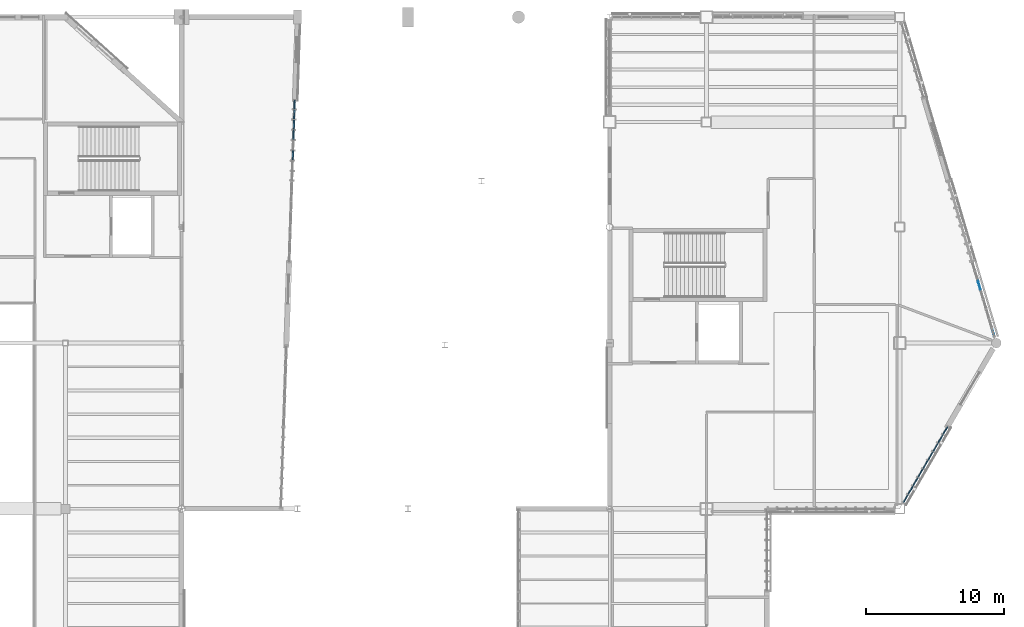
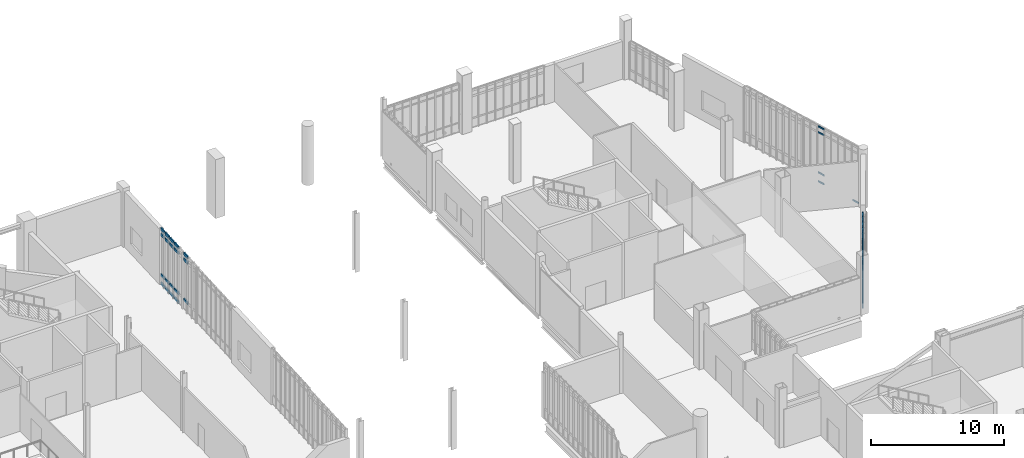
# One storey, part 63 of 127: 60 members, 3 elements without a shape of their own.
"""IFC4 building model written with IfcOpenShell, lengths in metres."""

from ifc_helpers import new_model, si_unit, direction, frame, origin, origin_2d, place, context, subcontext, project, spatial, rectangle, extrude, material, material_profile, profile_set, type_object, element, aggregate, save


model = new_model("IFC4")

# Units and contexts
model_context = context("Model", 3, precision=1e-05, world=origin(), true_north=direction((0.0, 1.0)))
body_context = subcontext(model_context, "Body", "Model", "MODEL_VIEW")
ifc_project = project(units=[si_unit("LENGTHUNIT", "METRE"), si_unit("AREAUNIT", "SQUARE_METRE"), si_unit("VOLUMEUNIT", "CUBIC_METRE"), si_unit("PLANEANGLEUNIT", "RADIAN"), si_unit("MASSUNIT", "GRAM", prefix="KILO")], contexts=[model_context])

# Site, building, storey
site_placement = place(None, origin())
site = spatial("IfcSite", under=ifc_project, at=site_placement, CompositionType="ELEMENT")
building_placement = place(site_placement, origin())
building = spatial("IfcBuilding", under=site, at=building_placement, Name="Larkvane Passage Sports Hall", CompositionType="ELEMENT")
storey_placement = place(building_placement, frame((0.0, 0.0, 5.39990234375)))
storey = spatial("IfcBuildingStorey", under=building, at=storey_placement, Name="L01", CompositionType="ELEMENT", Elevation=5.39990234375)

# Curtain wall, members
ifc_material_1 = material(Name="Thermally broken aluminium and low-E glazing", Category="aluminium")
curtain_wall_type_1 = type_object("IfcCurtainWallType", Name="CW-CLINIC", PredefinedType="USERDEFINED", material=ifc_material_1)
curtain_wall_1_placement = place(storey_placement, origin())
curtain_wall_1 = element("IfcCurtainWall", 1, at=curtain_wall_1_placement, inside=storey, type_object=curtain_wall_type_1, Name="Curtain wall CW5-L01-043", ObjectType="UNITISED CURTAIN WALL", PredefinedType="USERDEFINED")
ifc_material_2 = material(Name="Anodised aluminium 6063-T6", Category="aluminium")
ifc_material_profile_1 = material_profile(ifc_material_2, rectangle(XDim=0.10009765625, YDim=0.260009765625, at=origin_2d()), Name="ALU-TRN-100x260")
ifc_profile_set_1 = profile_set([ifc_material_profile_1], Name="Anodised aluminium 6063-T6")
member_type_1 = type_object("IfcMemberType", Name="CW-TRN-100x260", PredefinedType="USERDEFINED", material=ifc_profile_set_1)
member_1_placement = place(storey_placement, frame((101.796630859375, 93.166748046875, 0.050048828125), z_axis=(-0.03380904352, -0.999428310874, 0.0), x_axis=(0.999428310874, -0.03380904352, 0.0)))
member_1 = element("IfcMember", 2, at=member_1_placement, type_object=member_type_1, Name="CW-05 transom 1.1", ObjectType="TRANSOM", PredefinedType="USERDEFINED", context=body_context, shape_type="SweptSolid", body=[
    extrude(rectangle(XDim=0.10009765625, YDim=0.260009765625, at=origin_2d()), origin(), (0.0, 0.0, 1.0), 0.592041015625),
])
member_2_placement = place(storey_placement, frame((101.796630859375, 93.166748046875, 0.85009765625), z_axis=(-0.03380904352, -0.999428310874, 0.0), x_axis=(0.999428310874, -0.03380904352, 0.0)))
member_2 = element("IfcMember", 3, at=member_2_placement, type_object=member_type_1, Name="CW-05 transom 1.2", ObjectType="TRANSOM", PredefinedType="USERDEFINED", context=body_context, shape_type="SweptSolid", body=[
    extrude(rectangle(XDim=0.10009765625, YDim=0.260009765625, at=origin_2d()), origin(), (0.0, 0.0, 1.0), 0.592041015625),
])
member_3_placement = place(storey_placement, frame((101.796630859375, 93.166748046875, 4.550048828125), z_axis=(-0.03380904352, -0.999428310874, 0.0), x_axis=(0.999428310874, -0.03380904352, 0.0)))
member_3 = element("IfcMember", 4, at=member_3_placement, type_object=member_type_1, Name="CW-05 transom 1.3", ObjectType="TRANSOM", PredefinedType="USERDEFINED", context=body_context, shape_type="SweptSolid", body=[
    extrude(rectangle(XDim=0.10009765625, YDim=0.260009765625, at=origin_2d()), origin(), (0.0, 0.0, 1.0), 0.592041015625),
])
member_4_placement = place(storey_placement, frame((101.796630859375, 93.166748046875, 5.050048828125), z_axis=(-0.03380904352, -0.999428310874, 0.0), x_axis=(0.999428310874, -0.03380904352, 0.0)))
member_4 = element("IfcMember", 5, at=member_4_placement, type_object=member_type_1, Name="CW-05 transom 1.4", ObjectType="TRANSOM", PredefinedType="USERDEFINED", context=body_context, shape_type="SweptSolid", body=[
    extrude(rectangle(XDim=0.10009765625, YDim=0.260009765625, at=origin_2d()), origin(), (0.0, 0.0, 1.0), 0.592041015625),
])
member_5_placement = place(storey_placement, frame((101.7734375, 92.47509765625, 0.050048828125), z_axis=(-0.033833794265, -0.999427473289, 0.0), x_axis=(0.999427473289, -0.033833794265, 0.0)))
member_5 = element("IfcMember", 6, at=member_5_placement, type_object=member_type_1, Name="CW-05 transom 2.1", ObjectType="TRANSOM", PredefinedType="USERDEFINED", context=body_context, shape_type="SweptSolid", body=[
    extrude(rectangle(XDim=0.10009765625, YDim=0.260009765625, at=origin_2d()), origin(), (0.0, 0.0, 1.0), 0.642333984375),
])
member_6_placement = place(storey_placement, frame((101.7734375, 92.47509765625, 0.85009765625), z_axis=(-0.033833794265, -0.999427473289, 0.0), x_axis=(0.999427473289, -0.033833794265, 0.0)))
member_6 = element("IfcMember", 7, at=member_6_placement, type_object=member_type_1, Name="CW-05 transom 2.2", ObjectType="TRANSOM", PredefinedType="USERDEFINED", context=body_context, shape_type="SweptSolid", body=[
    extrude(rectangle(XDim=0.10009765625, YDim=0.260009765625, at=origin_2d()), origin(), (0.0, 0.0, 1.0), 0.642333984375),
])
member_7_placement = place(storey_placement, frame((101.7734375, 92.47509765625, 4.550048828125), z_axis=(-0.033833794265, -0.999427473289, 0.0), x_axis=(0.999427473289, -0.033833794265, 0.0)))
member_7 = element("IfcMember", 8, at=member_7_placement, type_object=member_type_1, Name="CW-05 transom 2.3", ObjectType="TRANSOM", PredefinedType="USERDEFINED", context=body_context, shape_type="SweptSolid", body=[
    extrude(rectangle(XDim=0.10009765625, YDim=0.260009765625, at=origin_2d()), origin(), (0.0, 0.0, 1.0), 0.642333984375),
])
member_8_placement = place(storey_placement, frame((101.7734375, 92.47509765625, 5.050048828125), z_axis=(-0.033833794265, -0.999427473289, 0.0), x_axis=(0.999427473289, -0.033833794265, 0.0)))
member_8 = element("IfcMember", 9, at=member_8_placement, type_object=member_type_1, Name="CW-05 transom 2.4", ObjectType="TRANSOM", PredefinedType="USERDEFINED", context=body_context, shape_type="SweptSolid", body=[
    extrude(rectangle(XDim=0.10009765625, YDim=0.260009765625, at=origin_2d()), origin(), (0.0, 0.0, 1.0), 0.642333984375),
])
member_9_placement = place(storey_placement, frame((101.748291015625, 91.7333984375, 0.050048828125), z_axis=(-0.033833794265, -0.999427473289, 0.0), x_axis=(0.999427473289, -0.033833794265, 0.0)))
member_9 = element("IfcMember", 10, at=member_9_placement, type_object=member_type_1, Name="CW-05 transom 3.1", ObjectType="TRANSOM", PredefinedType="USERDEFINED", context=body_context, shape_type="SweptSolid", body=[
    extrude(rectangle(XDim=0.10009765625, YDim=0.260009765625, at=origin_2d()), origin(), (0.0, 0.0, 1.0), 0.642333984375),
])
member_10_placement = place(storey_placement, frame((101.748291015625, 91.7333984375, 0.85009765625), z_axis=(-0.033833794265, -0.999427473289, 0.0), x_axis=(0.999427473289, -0.033833794265, 0.0)))
member_10 = element("IfcMember", 11, at=member_10_placement, type_object=member_type_1, Name="CW-05 transom 3.2", ObjectType="TRANSOM", PredefinedType="USERDEFINED", context=body_context, shape_type="SweptSolid", body=[
    extrude(rectangle(XDim=0.10009765625, YDim=0.260009765625, at=origin_2d()), origin(), (0.0, 0.0, 1.0), 0.642333984375),
])
member_11_placement = place(storey_placement, frame((101.748291015625, 91.7333984375, 4.550048828125), z_axis=(-0.033833794265, -0.999427473289, 0.0), x_axis=(0.999427473289, -0.033833794265, 0.0)))
member_11 = element("IfcMember", 12, at=member_11_placement, type_object=member_type_1, Name="CW-05 transom 3.3", ObjectType="TRANSOM", PredefinedType="USERDEFINED", context=body_context, shape_type="SweptSolid", body=[
    extrude(rectangle(XDim=0.10009765625, YDim=0.260009765625, at=origin_2d()), origin(), (0.0, 0.0, 1.0), 0.642333984375),
])
member_12_placement = place(storey_placement, frame((101.748291015625, 91.7333984375, 5.050048828125), z_axis=(-0.033833794265, -0.999427473289, 0.0), x_axis=(0.999427473289, -0.033833794265, 0.0)))
member_12 = element("IfcMember", 13, at=member_12_placement, type_object=member_type_1, Name="CW-05 transom 3.4", ObjectType="TRANSOM", PredefinedType="USERDEFINED", context=body_context, shape_type="SweptSolid", body=[
    extrude(rectangle(XDim=0.10009765625, YDim=0.260009765625, at=origin_2d()), origin(), (0.0, 0.0, 1.0), 0.642333984375),
])
member_13_placement = place(storey_placement, frame((101.723388671875, 90.99169921875, 0.050048828125), z_axis=(-0.033833794265, -0.999427473289, 0.0), x_axis=(0.999427473289, -0.033833794265, 0.0)))
member_13 = element("IfcMember", 14, at=member_13_placement, type_object=member_type_1, Name="CW-05 transom 4.1", ObjectType="TRANSOM", PredefinedType="USERDEFINED", context=body_context, shape_type="SweptSolid", body=[
    extrude(rectangle(XDim=0.10009765625, YDim=0.260009765625, at=origin_2d()), origin(), (0.0, 0.0, 1.0), 0.642333984375),
])
member_14_placement = place(storey_placement, frame((101.723388671875, 90.99169921875, 0.85009765625), z_axis=(-0.033833794265, -0.999427473289, 0.0), x_axis=(0.999427473289, -0.033833794265, 0.0)))
member_14 = element("IfcMember", 15, at=member_14_placement, type_object=member_type_1, Name="CW-05 transom 4.2", ObjectType="TRANSOM", PredefinedType="USERDEFINED", context=body_context, shape_type="SweptSolid", body=[
    extrude(rectangle(XDim=0.10009765625, YDim=0.260009765625, at=origin_2d()), origin(), (0.0, 0.0, 1.0), 0.642333984375),
])
member_15_placement = place(storey_placement, frame((101.723388671875, 90.99169921875, 4.550048828125), z_axis=(-0.033833794265, -0.999427473289, 0.0), x_axis=(0.999427473289, -0.033833794265, 0.0)))
member_15 = element("IfcMember", 16, at=member_15_placement, type_object=member_type_1, Name="CW-05 transom 4.3", ObjectType="TRANSOM", PredefinedType="USERDEFINED", context=body_context, shape_type="SweptSolid", body=[
    extrude(rectangle(XDim=0.10009765625, YDim=0.260009765625, at=origin_2d()), origin(), (0.0, 0.0, 1.0), 0.642333984375),
])
member_16_placement = place(storey_placement, frame((101.723388671875, 90.99169921875, 5.050048828125), z_axis=(-0.033833794265, -0.999427473289, 0.0), x_axis=(0.999427473289, -0.033833794265, 0.0)))
member_16 = element("IfcMember", 17, at=member_16_placement, type_object=member_type_1, Name="CW-05 transom 4.4", ObjectType="TRANSOM", PredefinedType="USERDEFINED", context=body_context, shape_type="SweptSolid", body=[
    extrude(rectangle(XDim=0.10009765625, YDim=0.260009765625, at=origin_2d()), origin(), (0.0, 0.0, 1.0), 0.642333984375),
])
member_17_placement = place(storey_placement, frame((101.67333984375, 89.50830078125, 0.85009765625), z_axis=(-0.03384665387, -0.999427037868, 0.0), x_axis=(0.999427037868, -0.03384665387, 0.0)))
member_17 = element("IfcMember", 18, at=member_17_placement, type_object=member_type_1, Name="CW-05 transom 6.2", ObjectType="TRANSOM", PredefinedType="USERDEFINED", context=body_context, shape_type="SweptSolid", body=[
    extrude(rectangle(XDim=0.10009765625, YDim=0.260009765625, at=origin_2d()), origin(), (0.0, 0.0, 1.0), 0.64208984375),
])
member_18_placement = place(storey_placement, frame((101.67333984375, 89.50830078125, 4.550048828125), z_axis=(-0.03384665387, -0.999427037868, 0.0), x_axis=(0.999427037868, -0.03384665387, 0.0)))
member_18 = element("IfcMember", 19, at=member_18_placement, type_object=member_type_1, Name="CW-05 transom 6.3", ObjectType="TRANSOM", PredefinedType="USERDEFINED", context=body_context, shape_type="SweptSolid", body=[
    extrude(rectangle(XDim=0.10009765625, YDim=0.260009765625, at=origin_2d()), origin(), (0.0, 0.0, 1.0), 0.64208984375),
])
member_19_placement = place(storey_placement, frame((101.67333984375, 89.50830078125, 5.050048828125), z_axis=(-0.03384665387, -0.999427037868, 0.0), x_axis=(0.999427037868, -0.03384665387, 0.0)))
member_19 = element("IfcMember", 20, at=member_19_placement, type_object=member_type_1, Name="CW-05 transom 6.4", ObjectType="TRANSOM", PredefinedType="USERDEFINED", context=body_context, shape_type="SweptSolid", body=[
    extrude(rectangle(XDim=0.10009765625, YDim=0.260009765625, at=origin_2d()), origin(), (0.0, 0.0, 1.0), 0.64208984375),
])
aggregate(curtain_wall_1, [member_1, member_2, member_3, member_4, member_5, member_6, member_7, member_8, member_9, member_10, member_11, member_12, member_13, member_14, member_15, member_16, member_17, member_18, member_19])

curtain_wall_type_2 = type_object("IfcCurtainWallType", Name="CW-UNIT-COURT", PredefinedType="USERDEFINED", material=ifc_material_1)
curtain_wall_2_placement = place(storey_placement, origin())
curtain_wall_2 = element("IfcCurtainWall", 21, at=curtain_wall_2_placement, inside=storey, type_object=curtain_wall_type_2, Name="Curtain wall CW5-L01-056", ObjectType="UNITISED CURTAIN WALL", PredefinedType="USERDEFINED")
ifc_material_profile_2 = material_profile(ifc_material_2, rectangle(XDim=0.06494140625, YDim=0.139892578125, at=origin_2d()), Name="ALU-TRN-65x140")
ifc_profile_set_2 = profile_set([ifc_material_profile_2], Name="Anodised aluminium 6063-T6")
member_type_2 = type_object("IfcMemberType", Name="CW-TRN-65x140", PredefinedType="USERDEFINED", material=ifc_profile_set_2)
member_20_placement = place(storey_placement, frame((151.26611328125, 80.09716796875, 0.03271484375), z_axis=(0.284177799577, -0.958771598572, 0.0), x_axis=(0.958771598572, 0.284177799577, 0.0)))
member_20 = element("IfcMember", 22, at=member_20_placement, type_object=member_type_2, Name="CW-01 transom 3.1", ObjectType="TRANSOM", PredefinedType="USERDEFINED", context=body_context, shape_type="SweptSolid", body=[
    extrude(rectangle(XDim=0.06494140625, YDim=0.139892578125, at=origin_2d()), origin(), (0.0, 0.0, 1.0), 0.650390625),
])
member_21_placement = place(storey_placement, frame((151.26611328125, 80.09716796875, 0.85009765625), z_axis=(0.284177799577, -0.958771598572, 0.0), x_axis=(0.958771598572, 0.284177799577, 0.0)))
member_21 = element("IfcMember", 23, at=member_21_placement, type_object=member_type_2, Name="CW-01 transom 3.2", ObjectType="TRANSOM", PredefinedType="USERDEFINED", context=body_context, shape_type="SweptSolid", body=[
    extrude(rectangle(XDim=0.06494140625, YDim=0.139892578125, at=origin_2d()), origin(), (0.0, 0.0, 1.0), 0.650390625),
])
member_22_placement = place(storey_placement, frame((151.26611328125, 80.09716796875, 4.550048828125), z_axis=(0.284177799577, -0.958771598572, 0.0), x_axis=(0.958771598572, 0.284177799577, 0.0)))
member_22 = element("IfcMember", 24, at=member_22_placement, type_object=member_type_2, Name="CW-01 transom 3.3", ObjectType="TRANSOM", PredefinedType="USERDEFINED", context=body_context, shape_type="SweptSolid", body=[
    extrude(rectangle(XDim=0.06494140625, YDim=0.139892578125, at=origin_2d()), origin(), (0.0, 0.0, 1.0), 0.650390625),
])
member_23_placement = place(storey_placement, frame((151.26611328125, 80.09716796875, 5.067626953125), z_axis=(0.284177799577, -0.958771598572, 0.0), x_axis=(0.958771598572, 0.284177799577, 0.0)))
member_23 = element("IfcMember", 25, at=member_23_placement, type_object=member_type_2, Name="CW-01 transom 3.4", ObjectType="TRANSOM", PredefinedType="USERDEFINED", context=body_context, shape_type="SweptSolid", body=[
    extrude(rectangle(XDim=0.06494140625, YDim=0.139892578125, at=origin_2d()), origin(), (0.0, 0.0, 1.0), 0.650390625),
])
member_24_placement = place(storey_placement, frame((152.283203125, 76.66796875, 0.03271484375), z_axis=(0.284518846593, -0.958670446991, 0.0), x_axis=(0.958670446991, 0.284518846593, 0.0)))
member_24 = element("IfcMember", 26, at=member_24_placement, type_object=member_type_2, Name="CW-01 transom 8.1", ObjectType="TRANSOM", PredefinedType="USERDEFINED", context=body_context, shape_type="SweptSolid", body=[
    extrude(rectangle(XDim=0.06494140625, YDim=0.139892578125, at=origin_2d()), origin(), (0.0, 0.0, 1.0), 0.617919921875),
])
aggregate(curtain_wall_2, [member_20, member_21, member_22, member_23, member_24])

curtain_wall_type_3 = type_object("IfcCurtainWallType", Name="CW-UNIT-VEIL", PredefinedType="USERDEFINED", material=ifc_material_1)
curtain_wall_3_placement = place(storey_placement, origin())
curtain_wall_3 = element("IfcCurtainWall", 27, at=curtain_wall_3_placement, inside=storey, type_object=curtain_wall_type_3, Name="Curtain wall CW5-L01-057", ObjectType="UNITISED CURTAIN WALL", PredefinedType="USERDEFINED")
ifc_material_profile_3 = material_profile(ifc_material_2, rectangle(XDim=0.074951171875, YDim=0.18505859375, at=origin_2d()), Name="ALU-TRN-75x185")
ifc_profile_set_3 = profile_set([ifc_material_profile_3], Name="Anodised aluminium 6063-T6")
member_type_3 = type_object("IfcMemberType", Name="CW-TRN-75x185", PredefinedType="USERDEFINED", material=ifc_profile_set_3)
member_25_placement = place(storey_placement, frame((149.062255859375, 69.53515625, 0.03759765625), z_axis=(-0.503921075605, -0.863749703074, 0.0), x_axis=(0.863749703074, -0.503921075605, 0.0)))
member_25 = element("IfcMember", 28, at=member_25_placement, type_object=member_type_3, Name="CW-02 transom 1.1", ObjectType="TRANSOM", PredefinedType="USERDEFINED", context=body_context, shape_type="SweptSolid", body=[
    extrude(rectangle(XDim=0.074951171875, YDim=0.18505859375, at=origin_2d()), origin(), (0.0, 0.0, 1.0), 0.606689453125),
])
member_26_placement = place(storey_placement, frame((149.062255859375, 69.53515625, 0.85009765625), z_axis=(-0.503921075605, -0.863749703074, 0.0), x_axis=(0.863749703074, -0.503921075605, 0.0)))
member_26 = element("IfcMember", 29, at=member_26_placement, type_object=member_type_3, Name="CW-02 transom 1.2", ObjectType="TRANSOM", PredefinedType="USERDEFINED", context=body_context, shape_type="SweptSolid", body=[
    extrude(rectangle(XDim=0.074951171875, YDim=0.18505859375, at=origin_2d()), origin(), (0.0, 0.0, 1.0), 0.606689453125),
])
member_27_placement = place(storey_placement, frame((149.062255859375, 69.53515625, 3.818115234375), z_axis=(-0.503921075605, -0.863749703074, 0.0), x_axis=(0.863749703074, -0.503921075605, 0.0)))
member_27 = element("IfcMember", 30, at=member_27_placement, type_object=member_type_3, Name="CW-02 transom 1.3", ObjectType="TRANSOM", PredefinedType="USERDEFINED", context=body_context, shape_type="SweptSolid", body=[
    extrude(rectangle(XDim=0.074951171875, YDim=0.18505859375, at=origin_2d()), origin(), (0.0, 0.0, 1.0), 0.606689453125),
])
member_28_placement = place(storey_placement, frame((149.062255859375, 69.53515625, 4.33056640625), z_axis=(-0.503921075605, -0.863749703074, 0.0), x_axis=(0.863749703074, -0.503921075605, 0.0)))
member_28 = element("IfcMember", 31, at=member_28_placement, type_object=member_type_3, Name="CW-02 transom 1.4", ObjectType="TRANSOM", PredefinedType="USERDEFINED", context=body_context, shape_type="SweptSolid", body=[
    extrude(rectangle(XDim=0.074951171875, YDim=0.18505859375, at=origin_2d()), origin(), (0.0, 0.0, 1.0), 0.606689453125),
])
member_29_placement = place(storey_placement, frame((148.71875, 68.946533203125, 0.03759765625), z_axis=(-0.503753182455, -0.863847631916, 0.0), x_axis=(0.863847631916, -0.503753182455, 0.0)))
member_29 = element("IfcMember", 32, at=member_29_placement, type_object=member_type_3, Name="CW-02 transom 2.1", ObjectType="TRANSOM", PredefinedType="USERDEFINED", context=body_context, shape_type="SweptSolid", body=[
    extrude(rectangle(XDim=0.074951171875, YDim=0.18505859375, at=origin_2d()), origin(), (0.0, 0.0, 1.0), 0.64404296875),
])
member_30_placement = place(storey_placement, frame((148.71875, 68.946533203125, 0.85009765625), z_axis=(-0.503753182455, -0.863847631916, 0.0), x_axis=(0.863847631916, -0.503753182455, 0.0)))
member_30 = element("IfcMember", 33, at=member_30_placement, type_object=member_type_3, Name="CW-02 transom 2.2", ObjectType="TRANSOM", PredefinedType="USERDEFINED", context=body_context, shape_type="SweptSolid", body=[
    extrude(rectangle(XDim=0.074951171875, YDim=0.18505859375, at=origin_2d()), origin(), (0.0, 0.0, 1.0), 0.64404296875),
])
member_31_placement = place(storey_placement, frame((148.71875, 68.946533203125, 3.818115234375), z_axis=(-0.503753182455, -0.863847631916, 0.0), x_axis=(0.863847631916, -0.503753182455, 0.0)))
member_31 = element("IfcMember", 34, at=member_31_placement, type_object=member_type_3, Name="CW-02 transom 2.3", ObjectType="TRANSOM", PredefinedType="USERDEFINED", context=body_context, shape_type="SweptSolid", body=[
    extrude(rectangle(XDim=0.074951171875, YDim=0.18505859375, at=origin_2d()), origin(), (0.0, 0.0, 1.0), 0.64404296875),
])
member_32_placement = place(storey_placement, frame((148.71875, 68.946533203125, 4.33056640625), z_axis=(-0.503753182455, -0.863847631916, 0.0), x_axis=(0.863847631916, -0.503753182455, 0.0)))
member_32 = element("IfcMember", 35, at=member_32_placement, type_object=member_type_3, Name="CW-02 transom 2.4", ObjectType="TRANSOM", PredefinedType="USERDEFINED", context=body_context, shape_type="SweptSolid", body=[
    extrude(rectangle(XDim=0.074951171875, YDim=0.18505859375, at=origin_2d()), origin(), (0.0, 0.0, 1.0), 0.64404296875),
])
member_33_placement = place(storey_placement, frame((148.3564453125, 68.325439453125, 0.03759765625), z_axis=(-0.503753182455, -0.863847631916, 0.0), x_axis=(0.863847631916, -0.503753182455, 0.0)))
member_33 = element("IfcMember", 36, at=member_33_placement, type_object=member_type_3, Name="CW-02 transom 3.1", ObjectType="TRANSOM", PredefinedType="USERDEFINED", context=body_context, shape_type="SweptSolid", body=[
    extrude(rectangle(XDim=0.074951171875, YDim=0.18505859375, at=origin_2d()), origin(), (0.0, 0.0, 1.0), 0.64404296875),
])
member_34_placement = place(storey_placement, frame((148.3564453125, 68.325439453125, 0.85009765625), z_axis=(-0.503753182455, -0.863847631916, 0.0), x_axis=(0.863847631916, -0.503753182455, 0.0)))
member_34 = element("IfcMember", 37, at=member_34_placement, type_object=member_type_3, Name="CW-02 transom 3.2", ObjectType="TRANSOM", PredefinedType="USERDEFINED", context=body_context, shape_type="SweptSolid", body=[
    extrude(rectangle(XDim=0.074951171875, YDim=0.18505859375, at=origin_2d()), origin(), (0.0, 0.0, 1.0), 0.64404296875),
])
member_35_placement = place(storey_placement, frame((148.3564453125, 68.325439453125, 3.818115234375), z_axis=(-0.503753182455, -0.863847631916, 0.0), x_axis=(0.863847631916, -0.503753182455, 0.0)))
member_35 = element("IfcMember", 38, at=member_35_placement, type_object=member_type_3, Name="CW-02 transom 3.3", ObjectType="TRANSOM", PredefinedType="USERDEFINED", context=body_context, shape_type="SweptSolid", body=[
    extrude(rectangle(XDim=0.074951171875, YDim=0.18505859375, at=origin_2d()), origin(), (0.0, 0.0, 1.0), 0.64404296875),
])
member_36_placement = place(storey_placement, frame((148.3564453125, 68.325439453125, 4.33056640625), z_axis=(-0.503753182455, -0.863847631916, 0.0), x_axis=(0.863847631916, -0.503753182455, 0.0)))
member_36 = element("IfcMember", 39, at=member_36_placement, type_object=member_type_3, Name="CW-02 transom 3.4", ObjectType="TRANSOM", PredefinedType="USERDEFINED", context=body_context, shape_type="SweptSolid", body=[
    extrude(rectangle(XDim=0.074951171875, YDim=0.18505859375, at=origin_2d()), origin(), (0.0, 0.0, 1.0), 0.64404296875),
])
member_37_placement = place(storey_placement, frame((147.994140625, 67.704345703125, 0.03759765625), z_axis=(-0.503753182455, -0.863847631916, 0.0), x_axis=(0.863847631916, -0.503753182455, 0.0)))
member_37 = element("IfcMember", 40, at=member_37_placement, type_object=member_type_3, Name="CW-02 transom 4.1", ObjectType="TRANSOM", PredefinedType="USERDEFINED", context=body_context, shape_type="SweptSolid", body=[
    extrude(rectangle(XDim=0.074951171875, YDim=0.18505859375, at=origin_2d()), origin(), (0.0, 0.0, 1.0), 0.64404296875),
])
member_38_placement = place(storey_placement, frame((147.994140625, 67.704345703125, 0.85009765625), z_axis=(-0.503753182455, -0.863847631916, 0.0), x_axis=(0.863847631916, -0.503753182455, 0.0)))
member_38 = element("IfcMember", 41, at=member_38_placement, type_object=member_type_3, Name="CW-02 transom 4.2", ObjectType="TRANSOM", PredefinedType="USERDEFINED", context=body_context, shape_type="SweptSolid", body=[
    extrude(rectangle(XDim=0.074951171875, YDim=0.18505859375, at=origin_2d()), origin(), (0.0, 0.0, 1.0), 0.64404296875),
])
member_39_placement = place(storey_placement, frame((147.994140625, 67.704345703125, 3.818115234375), z_axis=(-0.503753182455, -0.863847631916, 0.0), x_axis=(0.863847631916, -0.503753182455, 0.0)))
member_39 = element("IfcMember", 42, at=member_39_placement, type_object=member_type_3, Name="CW-02 transom 4.3", ObjectType="TRANSOM", PredefinedType="USERDEFINED", context=body_context, shape_type="SweptSolid", body=[
    extrude(rectangle(XDim=0.074951171875, YDim=0.18505859375, at=origin_2d()), origin(), (0.0, 0.0, 1.0), 0.64404296875),
])
member_40_placement = place(storey_placement, frame((147.994140625, 67.704345703125, 4.33056640625), z_axis=(-0.503753182455, -0.863847631916, 0.0), x_axis=(0.863847631916, -0.503753182455, 0.0)))
member_40 = element("IfcMember", 43, at=member_40_placement, type_object=member_type_3, Name="CW-02 transom 4.4", ObjectType="TRANSOM", PredefinedType="USERDEFINED", context=body_context, shape_type="SweptSolid", body=[
    extrude(rectangle(XDim=0.074951171875, YDim=0.18505859375, at=origin_2d()), origin(), (0.0, 0.0, 1.0), 0.64404296875),
])
member_41_placement = place(storey_placement, frame((147.6318359375, 67.083251953125, 0.03759765625), z_axis=(-0.503753182455, -0.863847631916, 0.0), x_axis=(0.863847631916, -0.503753182455, 0.0)))
member_41 = element("IfcMember", 44, at=member_41_placement, type_object=member_type_3, Name="CW-02 transom 5.1", ObjectType="TRANSOM", PredefinedType="USERDEFINED", context=body_context, shape_type="SweptSolid", body=[
    extrude(rectangle(XDim=0.074951171875, YDim=0.18505859375, at=origin_2d()), origin(), (0.0, 0.0, 1.0), 0.64404296875),
])
member_42_placement = place(storey_placement, frame((147.6318359375, 67.083251953125, 0.85009765625), z_axis=(-0.503753182455, -0.863847631916, 0.0), x_axis=(0.863847631916, -0.503753182455, 0.0)))
member_42 = element("IfcMember", 45, at=member_42_placement, type_object=member_type_3, Name="CW-02 transom 5.2", ObjectType="TRANSOM", PredefinedType="USERDEFINED", context=body_context, shape_type="SweptSolid", body=[
    extrude(rectangle(XDim=0.074951171875, YDim=0.18505859375, at=origin_2d()), origin(), (0.0, 0.0, 1.0), 0.64404296875),
])
member_43_placement = place(storey_placement, frame((147.6318359375, 67.083251953125, 3.818115234375), z_axis=(-0.503753182455, -0.863847631916, 0.0), x_axis=(0.863847631916, -0.503753182455, 0.0)))
member_43 = element("IfcMember", 46, at=member_43_placement, type_object=member_type_3, Name="CW-02 transom 5.3", ObjectType="TRANSOM", PredefinedType="USERDEFINED", context=body_context, shape_type="SweptSolid", body=[
    extrude(rectangle(XDim=0.074951171875, YDim=0.18505859375, at=origin_2d()), origin(), (0.0, 0.0, 1.0), 0.64404296875),
])
member_44_placement = place(storey_placement, frame((147.6318359375, 67.083251953125, 4.33056640625), z_axis=(-0.503753182455, -0.863847631916, 0.0), x_axis=(0.863847631916, -0.503753182455, 0.0)))
member_44 = element("IfcMember", 47, at=member_44_placement, type_object=member_type_3, Name="CW-02 transom 5.4", ObjectType="TRANSOM", PredefinedType="USERDEFINED", context=body_context, shape_type="SweptSolid", body=[
    extrude(rectangle(XDim=0.074951171875, YDim=0.18505859375, at=origin_2d()), origin(), (0.0, 0.0, 1.0), 0.64404296875),
])
member_45_placement = place(storey_placement, frame((147.26953125, 66.462158203125, 0.03759765625), z_axis=(-0.503753182455, -0.863847631916, 0.0), x_axis=(0.863847631916, -0.503753182455, 0.0)))
member_45 = element("IfcMember", 48, at=member_45_placement, type_object=member_type_3, Name="CW-02 transom 6.1", ObjectType="TRANSOM", PredefinedType="USERDEFINED", context=body_context, shape_type="SweptSolid", body=[
    extrude(rectangle(XDim=0.074951171875, YDim=0.18505859375, at=origin_2d()), origin(), (0.0, 0.0, 1.0), 0.64404296875),
])
member_46_placement = place(storey_placement, frame((147.26953125, 66.462158203125, 0.85009765625), z_axis=(-0.503753182455, -0.863847631916, 0.0), x_axis=(0.863847631916, -0.503753182455, 0.0)))
member_46 = element("IfcMember", 49, at=member_46_placement, type_object=member_type_3, Name="CW-02 transom 6.2", ObjectType="TRANSOM", PredefinedType="USERDEFINED", context=body_context, shape_type="SweptSolid", body=[
    extrude(rectangle(XDim=0.074951171875, YDim=0.18505859375, at=origin_2d()), origin(), (0.0, 0.0, 1.0), 0.64404296875),
])
member_47_placement = place(storey_placement, frame((147.26953125, 66.462158203125, 3.818115234375), z_axis=(-0.503753182455, -0.863847631916, 0.0), x_axis=(0.863847631916, -0.503753182455, 0.0)))
member_47 = element("IfcMember", 50, at=member_47_placement, type_object=member_type_3, Name="CW-02 transom 6.3", ObjectType="TRANSOM", PredefinedType="USERDEFINED", context=body_context, shape_type="SweptSolid", body=[
    extrude(rectangle(XDim=0.074951171875, YDim=0.18505859375, at=origin_2d()), origin(), (0.0, 0.0, 1.0), 0.64404296875),
])
member_48_placement = place(storey_placement, frame((147.26953125, 66.462158203125, 4.33056640625), z_axis=(-0.503753182455, -0.863847631916, 0.0), x_axis=(0.863847631916, -0.503753182455, 0.0)))
member_48 = element("IfcMember", 51, at=member_48_placement, type_object=member_type_3, Name="CW-02 transom 6.4", ObjectType="TRANSOM", PredefinedType="USERDEFINED", context=body_context, shape_type="SweptSolid", body=[
    extrude(rectangle(XDim=0.074951171875, YDim=0.18505859375, at=origin_2d()), origin(), (0.0, 0.0, 1.0), 0.64404296875),
])
member_49_placement = place(storey_placement, frame((146.9072265625, 65.8408203125, 0.03759765625), z_axis=(-0.503918175564, -0.863751394984, 0.0), x_axis=(0.863751394984, -0.503918175564, 0.0)))
member_49 = element("IfcMember", 52, at=member_49_placement, type_object=member_type_3, Name="CW-02 transom 7.1", ObjectType="TRANSOM", PredefinedType="USERDEFINED", context=body_context, shape_type="SweptSolid", body=[
    extrude(rectangle(XDim=0.074951171875, YDim=0.18505859375, at=origin_2d()), origin(), (0.0, 0.0, 1.0), 0.643798828125),
])
member_50_placement = place(storey_placement, frame((146.9072265625, 65.8408203125, 0.85009765625), z_axis=(-0.503918175564, -0.863751394984, 0.0), x_axis=(0.863751394984, -0.503918175564, 0.0)))
member_50 = element("IfcMember", 53, at=member_50_placement, type_object=member_type_3, Name="CW-02 transom 7.2", ObjectType="TRANSOM", PredefinedType="USERDEFINED", context=body_context, shape_type="SweptSolid", body=[
    extrude(rectangle(XDim=0.074951171875, YDim=0.18505859375, at=origin_2d()), origin(), (0.0, 0.0, 1.0), 0.643798828125),
])
member_51_placement = place(storey_placement, frame((146.9072265625, 65.8408203125, 3.818115234375), z_axis=(-0.503918175564, -0.863751394984, 0.0), x_axis=(0.863751394984, -0.503918175564, 0.0)))
member_51 = element("IfcMember", 54, at=member_51_placement, type_object=member_type_3, Name="CW-02 transom 7.3", ObjectType="TRANSOM", PredefinedType="USERDEFINED", context=body_context, shape_type="SweptSolid", body=[
    extrude(rectangle(XDim=0.074951171875, YDim=0.18505859375, at=origin_2d()), origin(), (0.0, 0.0, 1.0), 0.643798828125),
])
member_52_placement = place(storey_placement, frame((146.9072265625, 65.8408203125, 4.33056640625), z_axis=(-0.503918175564, -0.863751394984, 0.0), x_axis=(0.863751394984, -0.503918175564, 0.0)))
member_52 = element("IfcMember", 55, at=member_52_placement, type_object=member_type_3, Name="CW-02 transom 7.4", ObjectType="TRANSOM", PredefinedType="USERDEFINED", context=body_context, shape_type="SweptSolid", body=[
    extrude(rectangle(XDim=0.074951171875, YDim=0.18505859375, at=origin_2d()), origin(), (0.0, 0.0, 1.0), 0.643798828125),
])
member_53_placement = place(storey_placement, frame((146.544921875, 65.2197265625, 0.03759765625), z_axis=(-0.503918175564, -0.863751394984, 0.0), x_axis=(0.863751394984, -0.503918175564, 0.0)))
member_53 = element("IfcMember", 56, at=member_53_placement, type_object=member_type_3, Name="CW-02 transom 8.1", ObjectType="TRANSOM", PredefinedType="USERDEFINED", context=body_context, shape_type="SweptSolid", body=[
    extrude(rectangle(XDim=0.074951171875, YDim=0.18505859375, at=origin_2d()), origin(), (0.0, 0.0, 1.0), 0.643798828125),
])
member_54_placement = place(storey_placement, frame((146.544921875, 65.2197265625, 0.85009765625), z_axis=(-0.503918175564, -0.863751394984, 0.0), x_axis=(0.863751394984, -0.503918175564, 0.0)))
member_54 = element("IfcMember", 57, at=member_54_placement, type_object=member_type_3, Name="CW-02 transom 8.2", ObjectType="TRANSOM", PredefinedType="USERDEFINED", context=body_context, shape_type="SweptSolid", body=[
    extrude(rectangle(XDim=0.074951171875, YDim=0.18505859375, at=origin_2d()), origin(), (0.0, 0.0, 1.0), 0.643798828125),
])
member_55_placement = place(storey_placement, frame((146.544921875, 65.2197265625, 3.818115234375), z_axis=(-0.503918175564, -0.863751394984, 0.0), x_axis=(0.863751394984, -0.503918175564, 0.0)))
member_55 = element("IfcMember", 58, at=member_55_placement, type_object=member_type_3, Name="CW-02 transom 8.3", ObjectType="TRANSOM", PredefinedType="USERDEFINED", context=body_context, shape_type="SweptSolid", body=[
    extrude(rectangle(XDim=0.074951171875, YDim=0.18505859375, at=origin_2d()), origin(), (0.0, 0.0, 1.0), 0.643798828125),
])
member_56_placement = place(storey_placement, frame((146.544921875, 65.2197265625, 4.33056640625), z_axis=(-0.503918175564, -0.863751394984, 0.0), x_axis=(0.863751394984, -0.503918175564, 0.0)))
member_56 = element("IfcMember", 59, at=member_56_placement, type_object=member_type_3, Name="CW-02 transom 8.4", ObjectType="TRANSOM", PredefinedType="USERDEFINED", context=body_context, shape_type="SweptSolid", body=[
    extrude(rectangle(XDim=0.074951171875, YDim=0.18505859375, at=origin_2d()), origin(), (0.0, 0.0, 1.0), 0.643798828125),
])
member_57_placement = place(storey_placement, frame((146.1826171875, 64.5986328125, 0.03759765625), z_axis=(-0.503921075605, -0.863749703074, 0.0), x_axis=(0.863749703074, -0.503921075605, 0.0)))
member_57 = element("IfcMember", 60, at=member_57_placement, type_object=member_type_3, Name="CW-02 transom 9.1", ObjectType="TRANSOM", PredefinedType="USERDEFINED", context=body_context, shape_type="SweptSolid", body=[
    extrude(rectangle(XDim=0.074951171875, YDim=0.18505859375, at=origin_2d()), origin(), (0.0, 0.0, 1.0), 0.606689453125),
])
member_58_placement = place(storey_placement, frame((146.1826171875, 64.5986328125, 0.85009765625), z_axis=(-0.503921075605, -0.863749703074, 0.0), x_axis=(0.863749703074, -0.503921075605, 0.0)))
member_58 = element("IfcMember", 61, at=member_58_placement, type_object=member_type_3, Name="CW-02 transom 9.2", ObjectType="TRANSOM", PredefinedType="USERDEFINED", context=body_context, shape_type="SweptSolid", body=[
    extrude(rectangle(XDim=0.074951171875, YDim=0.18505859375, at=origin_2d()), origin(), (0.0, 0.0, 1.0), 0.606689453125),
])
member_59_placement = place(storey_placement, frame((146.1826171875, 64.5986328125, 3.818115234375), z_axis=(-0.503921075605, -0.863749703074, 0.0), x_axis=(0.863749703074, -0.503921075605, 0.0)))
member_59 = element("IfcMember", 62, at=member_59_placement, type_object=member_type_3, Name="CW-02 transom 9.3", ObjectType="TRANSOM", PredefinedType="USERDEFINED", context=body_context, shape_type="SweptSolid", body=[
    extrude(rectangle(XDim=0.074951171875, YDim=0.18505859375, at=origin_2d()), origin(), (0.0, 0.0, 1.0), 0.606689453125),
])
member_60_placement = place(storey_placement, frame((146.1826171875, 64.5986328125, 4.33056640625), z_axis=(-0.503921075605, -0.863749703074, 0.0), x_axis=(0.863749703074, -0.503921075605, 0.0)))
member_60 = element("IfcMember", 63, at=member_60_placement, type_object=member_type_3, Name="CW-02 transom 9.4", ObjectType="TRANSOM", PredefinedType="USERDEFINED", context=body_context, shape_type="SweptSolid", body=[
    extrude(rectangle(XDim=0.074951171875, YDim=0.18505859375, at=origin_2d()), origin(), (0.0, 0.0, 1.0), 0.606689453125),
])
aggregate(curtain_wall_3, [member_25, member_26, member_27, member_28, member_29, member_30, member_31, member_32, member_33, member_34, member_35, member_36, member_37, member_38, member_39, member_40, member_41, member_42, member_43, member_44, member_45, member_46, member_47, member_48, member_49, member_50, member_51, member_52, member_53, member_54, member_55, member_56, member_57, member_58, member_59, member_60])

save(model, "model.ifc")
